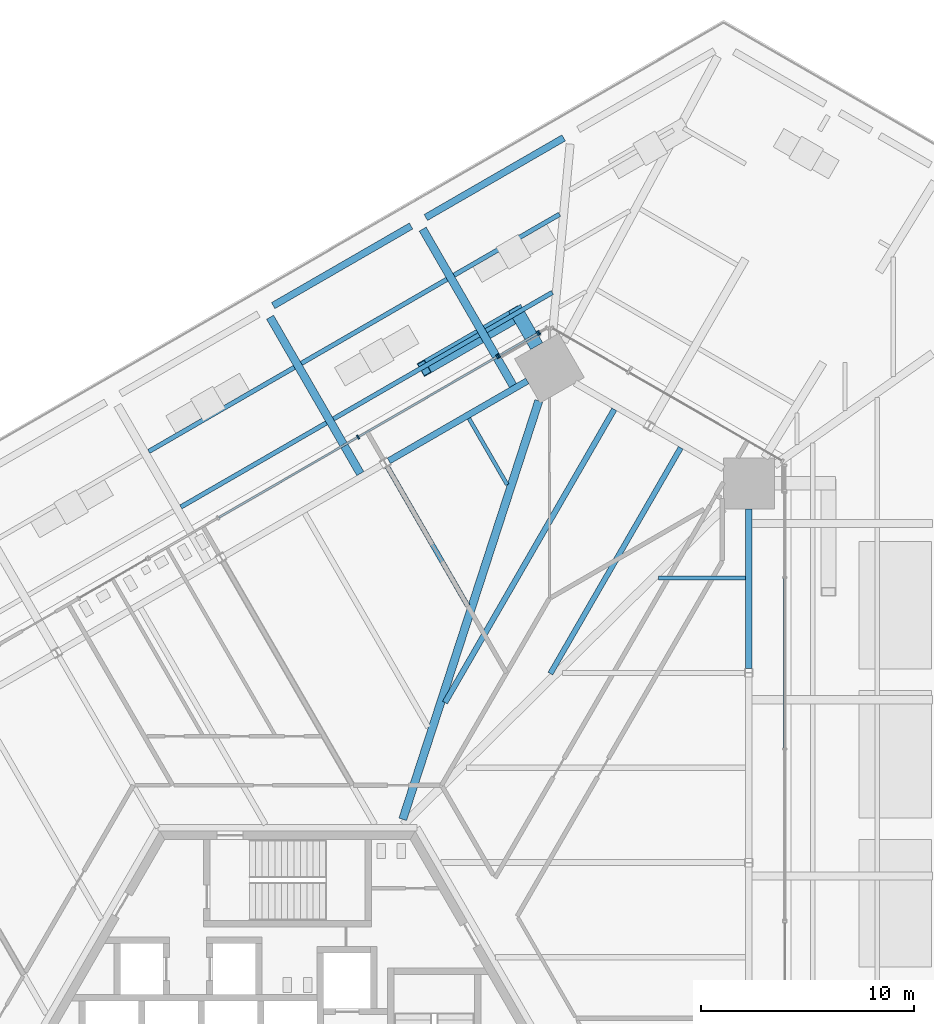
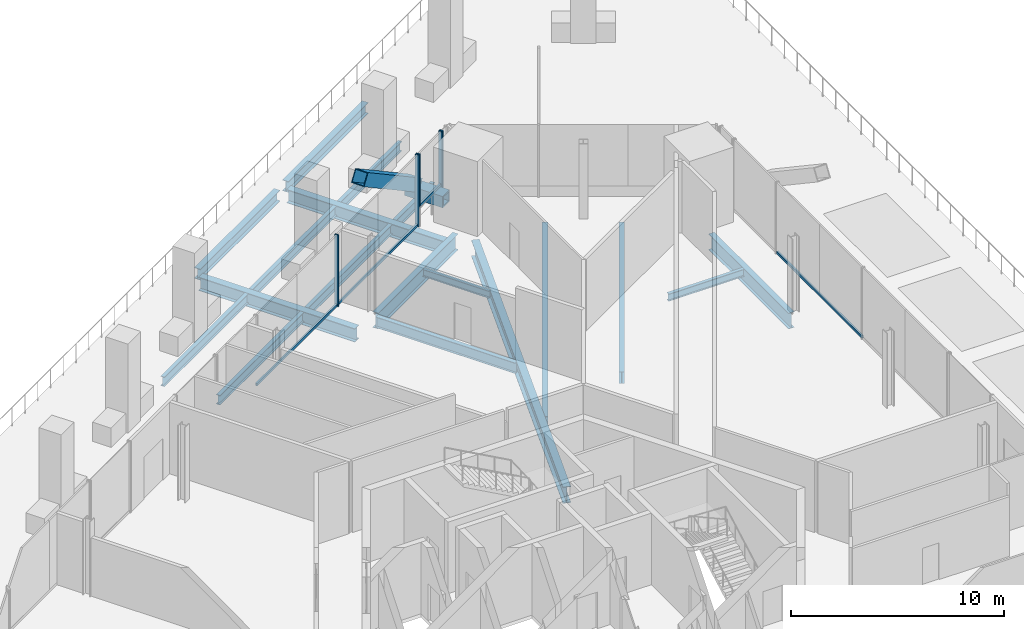
# One storey, part 14 of 38: 18 beams, 11 members, 4 elements without a shape of their own.
"""IFC4 building model written with IfcOpenShell, lengths in metres."""

from ifc_helpers import new_model, si_unit, direction, frame, origin, origin_2d, place, context, subcontext, project, spatial, rectangle, hollow_rectangle, i_section, extrude, source, transform, mapped, material, material_profile, profile_set, type_object, element, aggregate, save


model = new_model("IFC4")

# Units and contexts
model_context = context("Model", 3, precision=1e-05, world=origin(), true_north=direction((0.0, 1.0)))
body_context = subcontext(model_context, "Body", "Model", "MODEL_VIEW")
ifc_project = project(units=[si_unit("LENGTHUNIT", "METRE"), si_unit("AREAUNIT", "SQUARE_METRE"), si_unit("VOLUMEUNIT", "CUBIC_METRE"), si_unit("PLANEANGLEUNIT", "RADIAN"), si_unit("MASSUNIT", "GRAM", prefix="KILO")], contexts=[model_context])

# Site, building, storey
site_placement = place(None, origin())
site = spatial("IfcSite", under=ifc_project, at=site_placement, CompositionType="ELEMENT")
building_placement = place(site_placement, origin())
building = spatial("IfcBuilding", under=site, at=building_placement, Name="Triune Harvest Tower", CompositionType="ELEMENT")
storey_placement = place(building_placement, frame((0.0, 0.0, 16.0)))
storey = spatial("IfcBuildingStorey", under=building, at=storey_placement, Name="L03", CompositionType="ELEMENT", Elevation=16.0)

# Curtain wall, member
ifc_material_1 = material(Name="Aluminium bronze anodised", Category="aluminium")
curtain_wall_type_1 = type_object("IfcCurtainWallType", Name="CW-10 Balcony window wall with insulated spandrel infill", PredefinedType="NOTDEFINED", material=ifc_material_1)
curtain_wall_1_placement = place(storey_placement, origin())
curtain_wall_1 = element("IfcCurtainWall", 1, at=curtain_wall_1_placement, inside=storey, type_object=curtain_wall_type_1, Name="CW-10 B1-F1 L03 run 1002")
ifc_material_2 = material(Name="Aluminium bronze anodised", Category="aluminium")
ifc_material_profile_1 = material_profile(ifc_material_2, rectangle(XDim=0.090087890625, YDim=0.14990234375, at=origin_2d()), Name="TR-6 transom 90 x 150")
ifc_profile_set_1 = profile_set([ifc_material_profile_1], Name="Aluminium bronze anodised")
member_type_1 = type_object("IfcMemberType", Name="TR-6 transom 90 x 150", PredefinedType="USERDEFINED", material=ifc_profile_set_1)
member_1_placement = place(storey_placement, frame((23.371337890625, 14.275634765625, 0.074951171875), z_axis=(0.0, 1.0, 0.0), x_axis=(-1.0, 0.0, 0.0)))
member_1 = element("IfcMember", 2, at=member_1_placement, type_object=member_type_1, Name="CW-10 transom B1-F1 1002.2", ObjectType="TRANSOM", PredefinedType="USERDEFINED", context=body_context, shape_type="SweptSolid", body=[
    extrude(rectangle(XDim=0.090087890625, YDim=0.14990234375, at=origin_2d()), origin(), (0.0, 0.0, 1.0), 7.996337890625),
])
aggregate(curtain_wall_1, [member_1])

# Beams
ifc_material_3 = material(Name="Steel ASTM A992 Gr 50", Category="steel")
ifc_material_profile_2 = material_profile(ifc_material_3, i_section(OverallWidth=0.383544921875, OverallDepth=0.9423828125, WebThickness=0.022216796875, FlangeThickness=0.039794921875, at=origin_2d()), Name="W36x232")
ifc_profile_set_2 = profile_set([ifc_material_profile_2], Name="Steel ASTM A992 Gr 50")
beam_type_1 = type_object("IfcBeamType", Name="HG-1 Hip girder W36x232", PredefinedType="BEAM", material=ifc_profile_set_2)
shared_shape_1 = source(origin(), body_context, "Body", "SweptSolid", [
    extrude(i_section(OverallWidth=0.383544921875, OverallDepth=0.9423828125, WebThickness=0.022216796875, FlangeThickness=0.039794921875, at=origin_2d()), origin(), (0.0, 0.0, 1.0), 20.676025390625),
])
beam_1_placement = place(storey_placement, frame((11.809814453125, 30.6044921875, -0.671142578125), z_axis=(-0.309191000288, -0.950999960747, 0.0), x_axis=(0.950999960747, -0.309191000288, 0.0)))
element("IfcBeam", 3, at=beam_1_placement, inside=storey, type_object=beam_type_1, Name="beam/L03/HG3", PredefinedType="BEAM", context=body_context, shape_type="MappedRepresentation", body=[
    mapped(shared_shape_1, transform((0.0, 0.0, 0.0), scale=1.0)),
])
ifc_material_4 = material(Name="Steel ASTM A992 Gr 50", Category="steel")
ifc_material_profile_3 = material_profile(ifc_material_4, i_section(OverallWidth=0.22900390625, OverallDepth=0.612060546875, WebThickness=0.011962890625, FlangeThickness=0.01953125, at=origin_2d()), Name="W24x84")
ifc_profile_set_3 = profile_set([ifc_material_profile_3], Name="Steel ASTM A992 Gr 50")
beam_type_2 = type_object("IfcBeamType", Name="JT-3 Floor joist W24x84", PredefinedType="JOIST", material=ifc_profile_set_3)
shared_shape_2 = source(origin(), body_context, "Body", "SweptSolid", [
    extrude(i_section(OverallWidth=0.22900390625, OverallDepth=0.612060546875, WebThickness=0.011962890625, FlangeThickness=0.01953125, at=origin_2d()), origin(), (0.0, 0.0, 1.0), 7.55859375),
])
beam_2_placement = place(storey_placement, frame((4.6943359375, 27.509033203125, -0.506103515625), z_axis=(0.500002049001, -0.86602422079, 0.0), x_axis=(0.86602422079, 0.500002049001, 0.0)))
element("IfcBeam", 4, at=beam_2_placement, inside=storey, type_object=beam_type_2, Name="beam/L03/JT15", PredefinedType="JOIST", context=body_context, shape_type="MappedRepresentation", body=[
    mapped(shared_shape_2, transform((0.0, 0.0, 0.0), scale=1.0)),
])
ifc_material_5 = material(Name="Steel ASTM A992 Gr 50", Category="steel")
ifc_material_profile_4 = material_profile(ifc_material_5, i_section(OverallWidth=0.32763671875, OverallDepth=0.62744140625, WebThickness=0.0166015625, FlangeThickness=0.027587890625, at=origin_2d()), Name="W24x146")
ifc_profile_set_4 = profile_set([ifc_material_profile_4], Name="Steel ASTM A992 Gr 50")
beam_type_3 = type_object("IfcBeamType", Name="PD-4 Podium edge beam W24x146", PredefinedType="BEAM", material=ifc_profile_set_4)
shared_shape_3 = source(origin(), body_context, "Body", "SweptSolid", [
    extrude(i_section(OverallWidth=0.32763671875, OverallDepth=0.62744140625, WebThickness=0.0166015625, FlangeThickness=0.027587890625, at=origin_2d()), origin(), (0.0, 0.0, 1.0), 7.47998046875),
])
beam_3_placement = place(storey_placement, frame((12.978759765625, 42.9599609375, -0.513671875), z_axis=(-0.866023067432, -0.500004046659, 0.0), x_axis=(0.500004046659, -0.866023067432, 0.0)))
element("IfcBeam", 5, at=beam_3_placement, inside=storey, type_object=beam_type_3, Name="beam/L03/PE15", PredefinedType="BEAM", context=body_context, shape_type="MappedRepresentation", body=[
    mapped(shared_shape_3, transform((0.0, 0.0, 0.0), scale=1.0)),
])
shared_shape_4 = source(origin(), body_context, "Body", "SweptSolid", [
    extrude(i_section(OverallWidth=0.32763671875, OverallDepth=0.62744140625, WebThickness=0.0166015625, FlangeThickness=0.027587890625, at=origin_2d()), origin(), (0.0, 0.0, 1.0), 7.480224609375),
])
beam_4_placement = place(storey_placement, frame((5.80810546875, 38.820068359375, -0.513671875), z_axis=(-0.866031227086, -0.49998991361, 0.0), x_axis=(0.49998991361, -0.866031227086, 0.0)))
element("IfcBeam", 6, at=beam_4_placement, inside=storey, type_object=beam_type_3, Name="beam/L03/PE16", PredefinedType="BEAM", context=body_context, shape_type="MappedRepresentation", body=[
    mapped(shared_shape_4, transform((0.0, 0.0, 0.0), scale=1.0)),
])
ifc_material_6 = material(Name="Steel ASTM A992 Gr 50", Category="steel")
ifc_material_profile_5 = material_profile(ifc_material_6, i_section(OverallWidth=0.2138671875, OverallDepth=0.548583984375, WebThickness=0.0146484375, FlangeThickness=0.023681640625, at=origin_2d()), Name="W21x93")
ifc_profile_set_5 = profile_set([ifc_material_profile_5], Name="Steel ASTM A992 Gr 50")
beam_type_4 = type_object("IfcBeamType", Name="PD-5 Podium joist W21x93", PredefinedType="JOIST", material=ifc_profile_set_5)
shared_shape_5 = source(origin(), body_context, "Body", "SweptSolid", [
    extrude(i_section(OverallWidth=0.2138671875, OverallDepth=0.548583984375, WebThickness=0.0146484375, FlangeThickness=0.023681640625, at=origin_2d()), origin(), (0.0, 0.0, 1.0), 3.59619140625),
])
beam_5_placement = place(storey_placement, frame((12.44580078125, 35.696533203125, -0.474365234375), z_axis=(-0.866062364587, -0.499935976547, 0.0), x_axis=(0.499935976547, -0.866062364587, 0.0)))
element("IfcBeam", 7, at=beam_5_placement, inside=storey, type_object=beam_type_4, Name="beam/L03/PJ32", PredefinedType="JOIST", context=body_context, shape_type="MappedRepresentation", body=[
    mapped(shared_shape_5, transform((0.0, 0.0, 0.0), scale=1.0)),
])
shared_shape_6 = source(origin(), body_context, "Body", "SweptSolid", [
    extrude(i_section(OverallWidth=0.2138671875, OverallDepth=0.548583984375, WebThickness=0.0146484375, FlangeThickness=0.023681640625, at=origin_2d()), origin(), (0.0, 0.0, 1.0), 7.89892578125),
])
beam_6_placement = place(storey_placement, frame((7.495361328125, 36.31640625, -0.474365234375), z_axis=(-0.866022421773, -0.50000516496, 0.0), x_axis=(0.50000516496, -0.866022421773, 0.0)))
element("IfcBeam", 8, at=beam_6_placement, inside=storey, type_object=beam_type_4, Name="beam/L03/PJ33", PredefinedType="JOIST", context=body_context, shape_type="MappedRepresentation", body=[
    mapped(shared_shape_6, transform((0.0, 0.0, 0.0), scale=1.0)),
])
shared_shape_7 = source(origin(), body_context, "Body", "SweptSolid", [
    extrude(i_section(OverallWidth=0.2138671875, OverallDepth=0.548583984375, WebThickness=0.0146484375, FlangeThickness=0.023681640625, at=origin_2d()), origin(), (0.0, 0.0, 1.0), 7.899169921875),
])
for number, where, z_axis, x_axis, name in (
    (9, (9.00146484375, 33.7080078125, -0.474365234375), (-0.866030148722, -0.499991781437, 0.0), (0.499991781437, -0.866030148722, 0.0), "beam/L03/PJ34"),
    (10, (0.32470703125, 32.176513671875, -0.474365234375), (-0.866016765394, -0.500014961832, 0.0), (0.500014961832, -0.866016765394, 0.0), "beam/L03/PJ35"),
    (11, (1.830810546875, 29.568115234375, -0.474365234375), (-0.866030148722, -0.499991781437, 0.0), (0.499991781437, -0.866030148722, 0.0), "beam/L03/PJ36"),
):
    element("IfcBeam", number, at=place(storey_placement, frame(where, z_axis=z_axis, x_axis=x_axis)), inside=storey, type_object=beam_type_4, Name=name, PredefinedType="JOIST", context=body_context, shape_type="MappedRepresentation", body=[
        mapped(shared_shape_7, transform((0.0, 0.0, 0.0), scale=1.0)),
    ])
shared_shape_8 = source(origin(), body_context, "Body", "SweptSolid", [
    extrude(i_section(OverallWidth=0.2138671875, OverallDepth=0.548583984375, WebThickness=0.0146484375, FlangeThickness=0.023681640625, at=origin_2d()), origin(), (0.0, 0.0, 1.0), 5.726318359375),
])
beam_7_placement = place(storey_placement, frame((12.784423828125, 39.3701171875, -0.474365234375), z_axis=(-0.866009501729, -0.500027542156, 0.0), x_axis=(0.500027542156, -0.866009501729, 0.0)))
element("IfcBeam", 12, at=beam_7_placement, inside=storey, type_object=beam_type_4, Name="beam/L03/PJ31", PredefinedType="JOIST", context=body_context, shape_type="MappedRepresentation", body=[
    mapped(shared_shape_8, transform((0.0, 0.0, 0.0), scale=1.0)),
])
ifc_material_7 = material(Name="Steel ASTM A992 Gr 50", Category="steel")
ifc_material_profile_6 = material_profile(ifc_material_7, i_section(OverallWidth=0.3046875, OverallDepth=0.914306640625, WebThickness=0.0166015625, FlangeThickness=0.02587890625, at=origin_2d()), Name="W36x160")
ifc_profile_set_6 = profile_set([ifc_material_profile_6], Name="Steel ASTM A992 Gr 50")
beam_type_5 = type_object("IfcBeamType", Name="SB-1 Spandrel beam W36x160", PredefinedType="SPANDREL", material=ifc_profile_set_6)
shared_shape_9 = source(origin(), body_context, "Body", "SweptSolid", [
    extrude(i_section(OverallWidth=0.3046875, OverallDepth=0.914306640625, WebThickness=0.0166015625, FlangeThickness=0.02587890625, at=origin_2d()), origin(), (0.0, 0.0, 1.0), 7.508056640625),
])
beam_8_placement = place(storey_placement, frame((21.679443359375, 18.02197265625, -0.6572265625), z_axis=(0.0, 1.0, 0.0), x_axis=(-1.0, 0.0, 0.0)))
element("IfcBeam", 13, at=beam_8_placement, inside=storey, type_object=beam_type_5, Name="beam/L03/SB6", PredefinedType="SPANDREL", context=body_context, shape_type="MappedRepresentation", body=[
    mapped(shared_shape_9, transform((0.0, 0.0, 0.0), scale=1.0)),
])
shared_shape_10 = source(origin(), body_context, "Body", "SweptSolid", [
    extrude(i_section(OverallWidth=0.3046875, OverallDepth=0.914306640625, WebThickness=0.0166015625, FlangeThickness=0.02587890625, at=origin_2d()), origin(), (0.0, 0.0, 1.0), 7.50830078125),
])
beam_9_placement = place(storey_placement, frame((11.27001953125, 31.5400390625, -0.6572265625), z_axis=(-0.866027474485, -0.499996413425, 0.0), x_axis=(0.499996413425, -0.866027474485, 0.0)))
element("IfcBeam", 14, at=beam_9_placement, inside=storey, type_object=beam_type_5, Name="beam/L03/SB9", PredefinedType="SPANDREL", context=body_context, shape_type="MappedRepresentation", body=[
    mapped(shared_shape_10, transform((0.0, 0.0, 0.0), scale=1.0)),
])
ifc_material_8 = material(Name="Steel ASTM A992 Gr 50", Category="steel")
ifc_material_profile_7 = material_profile(ifc_material_8, i_section(OverallWidth=0.180908203125, OverallDepth=0.41650390625, WebThickness=0.010986328125, FlangeThickness=0.01806640625, at=origin_2d()), Name="W16x57")
ifc_profile_set_7 = profile_set([ifc_material_profile_7], Name="Steel ASTM A992 Gr 50")
beam_type_6 = type_object("IfcBeamType", Name="JT-1 Floor joist W16x57", PredefinedType="JOIST", material=ifc_profile_set_7)
shared_shape_11 = source(origin(), body_context, "Body", "SweptSolid", [
    extrude(i_section(OverallWidth=0.180908203125, OverallDepth=0.41650390625, WebThickness=0.010986328125, FlangeThickness=0.01806640625, at=origin_2d()), origin(), (0.0, 0.0, 1.0), 3.599365234375),
])
beam_10_placement = place(storey_placement, frame((8.527099609375, 29.780517578125, -0.408203125), z_axis=(0.50001992892, -0.866013897511, 0.0), x_axis=(0.866013897511, 0.50001992892, 0.0)))
element("IfcBeam", 15, at=beam_10_placement, inside=storey, type_object=beam_type_6, Name="beam/L03/JT14", PredefinedType="JOIST", context=body_context, shape_type="MappedRepresentation", body=[
    mapped(shared_shape_11, transform((0.0, 0.0, 0.0), scale=1.0)),
])
shared_shape_12 = source(origin(), body_context, "Body", "SweptSolid", [
    extrude(i_section(OverallWidth=0.180908203125, OverallDepth=0.41650390625, WebThickness=0.010986328125, FlangeThickness=0.01806640625, at=origin_2d()), origin(), (0.0, 0.0, 1.0), 4.08642578125),
])
beam_11_placement = place(storey_placement, frame((21.527099609375, 22.27490234375, -0.408203125), z_axis=(-1.0, 0.0, 0.0), x_axis=(0.0, -1.0, 0.0)))
element("IfcBeam", 16, at=beam_11_placement, inside=storey, type_object=beam_type_6, Name="beam/L03/JT11", PredefinedType="JOIST", context=body_context, shape_type="MappedRepresentation", body=[
    mapped(shared_shape_12, transform((0.0, 0.0, 0.0), scale=1.0)),
])
ifc_material_9 = material(Name="Steel ASTM A992 Gr 50", Category="steel")
ifc_material_profile_8 = material_profile(ifc_material_9, i_section(OverallWidth=0.253662109375, OverallDepth=0.683349609375, WebThickness=0.012451171875, FlangeThickness=0.01904296875, at=origin_2d()), Name="W27x94")
ifc_profile_set_8 = profile_set([ifc_material_profile_8], Name="Steel ASTM A992 Gr 50")
beam_type_7 = type_object("IfcBeamType", Name="JT-4 Floor joist W27x94", PredefinedType="JOIST", material=ifc_profile_set_8)
shared_shape_13 = source(origin(), body_context, "Body", "SweptSolid", [
    extrude(i_section(OverallWidth=0.253662109375, OverallDepth=0.683349609375, WebThickness=0.012451171875, FlangeThickness=0.01904296875, at=origin_2d()), origin(), (0.0, 0.0, 1.0), 12.2509765625),
])
beam_12_placement = place(storey_placement, frame((18.479736328125, 28.4013671875, -0.54150390625), z_axis=(-0.500001335473, -0.866024632748, 0.0), x_axis=(0.866024632748, -0.500001335473, 0.0)))
element("IfcBeam", 17, at=beam_12_placement, inside=storey, type_object=beam_type_7, Name="beam/L03/JT12", PredefinedType="JOIST", context=body_context, shape_type="MappedRepresentation", body=[
    mapped(shared_shape_13, transform((0.0, 0.0, 0.0), scale=1.0)),
])
ifc_material_10 = material(Name="Steel ASTM A992 Gr 50", Category="steel")
ifc_material_profile_9 = material_profile(ifc_material_10, i_section(OverallWidth=0.2666015625, OverallDepth=0.7568359375, WebThickness=0.013916015625, FlangeThickness=0.019287109375, at=origin_2d()), Name="W30x108")
ifc_profile_set_9 = profile_set([ifc_material_profile_9], Name="Steel ASTM A992 Gr 50")
beam_type_8 = type_object("IfcBeamType", Name="JT-5 Floor joist W30x108", PredefinedType="JOIST", material=ifc_profile_set_9)
shared_shape_14 = source(origin(), body_context, "Body", "SweptSolid", [
    extrude(i_section(OverallWidth=0.2666015625, OverallDepth=0.7568359375, WebThickness=0.013916015625, FlangeThickness=0.019287109375, at=origin_2d()), origin(), (0.0, 0.0, 1.0), 15.90771484375),
])
beam_13_placement = place(storey_placement, frame((15.3564453125, 30.20458984375, -0.57861328125), z_axis=(-0.500003211559, -0.866023549582, 0.0), x_axis=(0.866023549582, -0.500003211559, 0.0)))
element("IfcBeam", 18, at=beam_13_placement, inside=storey, type_object=beam_type_8, Name="beam/L03/JT13", PredefinedType="JOIST", context=body_context, shape_type="MappedRepresentation", body=[
    mapped(shared_shape_14, transform((0.0, 0.0, 0.0), scale=1.0)),
])
ifc_material_11 = material(Name="Steel ASTM A992 Gr 50", Category="steel")
ifc_material_profile_10 = material_profile(ifc_material_11, i_section(OverallWidth=0.381103515625, OverallDepth=0.772216796875, WebThickness=0.0166015625, FlangeThickness=0.027099609375, at=origin_2d()), Name="W30x173")
ifc_profile_set_10 = profile_set([ifc_material_profile_10], Name="Steel ASTM A992 Gr 50")
beam_type_9 = type_object("IfcBeamType", Name="PD-3 Podium girder W30x173", PredefinedType="BEAM", material=ifc_profile_set_10)
shared_shape_15 = source(origin(), body_context, "Body", "SweptSolid", [
    extrude(i_section(OverallWidth=0.381103515625, OverallDepth=0.772216796875, WebThickness=0.0166015625, FlangeThickness=0.027099609375, at=origin_2d()), origin(), (0.0, 0.0, 1.0), 8.483154296875),
])
for number, where, z_axis, x_axis, name in (
    (19, (6.3544921875, 38.673583984375, -0.586181640625), (0.5000081092, -0.866020721885, 0.0), (0.866020721885, 0.5000081092, 0.0), "beam/L03/PR18"),
    (20, (-0.816162109375, 34.53369140625, -0.586181640625), (0.499986524641, -0.866033183647, 0.0), (0.866033183647, 0.499986524641, 0.0), "beam/L03/PR19"),
):
    element("IfcBeam", number, at=place(storey_placement, frame(where, z_axis=z_axis, x_axis=x_axis)), inside=storey, type_object=beam_type_9, Name=name, PredefinedType="BEAM", context=body_context, shape_type="MappedRepresentation", body=[
        mapped(shared_shape_15, transform((0.0, 0.0, 0.0), scale=1.0)),
    ])

# Members
ifc_material_12 = material(Name="Steel ASTM A572 Gr 50", Category="steel")
ifc_material_profile_11 = material_profile(ifc_material_12, hollow_rectangle(XDim=0.64990234375, YDim=0.64990234375, WallThickness=0.070068359375, at=origin_2d()), Name="Box 650x650x70")
ifc_profile_set_11 = profile_set([ifc_material_profile_11], Name="Steel ASTM A572 Gr 50")
member_type_2 = type_object("IfcMemberType", Name="BS-1 Brace stub Box 650x650x70", PredefinedType="STRUT", material=ifc_profile_set_11)
shared_shape_16 = source(origin(), body_context, "Body", "SweptSolid", [
    extrude(hollow_rectangle(XDim=0.64990234375, YDim=0.64990234375, WallThickness=0.070068359375, at=origin_2d()), origin(), (0.0, 0.0, 1.0), 2.07177734375),
])
member_2_placement = place(storey_placement, frame((11.708984375, 33.17919921875, 0.60009765625), z_axis=(-0.500004672885, 0.866022705876, 0.0), x_axis=(-0.866022705876, -0.500004672885, 0.0)))
element("IfcMember", 21, at=member_2_placement, inside=storey, type_object=member_type_2, Name="brace/B1-F3/stub1", PredefinedType="STRUT", context=body_context, shape_type="MappedRepresentation", body=[
    mapped(shared_shape_16, transform((0.0, 0.0, 0.0), scale=1.0)),
])
ifc_material_13 = material(Name="Steel ASTM A572 Gr 50", Category="steel")
ifc_material_profile_12 = material_profile(ifc_material_13, hollow_rectangle(XDim=0.699951171875, YDim=0.699951171875, WallThickness=0.0400390625, at=origin_2d()), Name="Box 700x700x40")
ifc_profile_set_12 = profile_set([ifc_material_profile_12], Name="Steel ASTM A572 Gr 50")
member_type_3 = type_object("IfcMemberType", Name="BR-1 Brace Box 700x700x40", PredefinedType="BRACE", material=ifc_profile_set_12)
shared_shape_17 = source(origin(), body_context, "Body", "SweptSolid", [
    extrude(hollow_rectangle(XDim=0.699951171875, YDim=0.699951171875, WallThickness=0.0400390625, at=origin_2d()), origin(), (0.0, 0.0, 1.0), 6.12890625),
])
member_3_placement = place(storey_placement, frame((10.838134765625, 34.687744140625, 0.889892578125), z_axis=(-0.719593116194, -0.415463946964, 0.556395053806), x_axis=(0.500006018292, -0.866021929094, 0.0)))
element("IfcMember", 22, at=member_3_placement, inside=storey, type_object=member_type_3, Name="brace/B1-F3/d1/1", PredefinedType="BRACE", context=body_context, shape_type="MappedRepresentation", body=[
    mapped(shared_shape_17, transform((0.0, 0.0, 0.0), scale=1.0)),
])

# Curtain wall, members
curtain_wall_2_placement = place(storey_placement, origin())
curtain_wall_2 = element("IfcCurtainWall", 23, at=curtain_wall_2_placement, inside=storey, type_object=curtain_wall_type_1, Name="CW-10 B1-F3 L03 run 101")
ifc_material_14 = material(Name="Aluminium bronze anodised", Category="aluminium")
ifc_material_profile_13 = material_profile(ifc_material_14, rectangle(XDim=0.199951171875, YDim=0.074951171875, at=origin_2d()), Name="MU-6 mullion 75 x 200")
ifc_profile_set_13 = profile_set([ifc_material_profile_13], Name="Aluminium bronze anodised")
member_type_4 = type_object("IfcMemberType", Name="MU-6 mullion 75 x 200", PredefinedType="MULLION", material=ifc_profile_set_13)
shared_shape_18 = source(origin(), body_context, "Body", "SweptSolid", [
    extrude(rectangle(XDim=0.199951171875, YDim=0.074951171875, at=origin_2d()), origin(), (0.0, 0.0, 1.0), 3.114990234375),
])
member_4_placement = place(storey_placement, frame((11.76416015625, 33.779052734375, 0.985107421875), z_axis=(0.0, 0.0, 1.0), x_axis=(0.500001212781, -0.866024703584, 0.0)))
member_4 = element("IfcMember", 24, at=member_4_placement, type_object=member_type_4, Name="CW-10 mullion B1-F3 101.1", PredefinedType="MULLION", context=body_context, shape_type="MappedRepresentation", body=[
    mapped(shared_shape_18, transform((0.0, 0.0, 0.0), scale=1.0)),
])
member_5_placement = place(storey_placement, frame((9.9287109375, 32.71923828125, 0.985107421875), z_axis=(0.0, 0.0, 1.0), x_axis=(0.500001212781, -0.866024703584, 0.0)))
member_5 = element("IfcMember", 25, at=member_5_placement, type_object=member_type_4, Name="CW-10 mullion B1-F3 101.2", PredefinedType="MULLION", context=body_context, shape_type="MappedRepresentation", body=[
    mapped(shared_shape_18, transform((0.0, 0.0, 0.0), scale=1.0)),
])

# Curtain wall, member
ifc_material_15 = material(Name="Aluminium bronze anodised", Category="aluminium")
curtain_wall_type_2 = type_object("IfcCurtainWallType", Name="CW-6 Balcony window wall", PredefinedType="NOTDEFINED", material=ifc_material_15)
curtain_wall_3_placement = place(storey_placement, origin())
curtain_wall_3 = element("IfcCurtainWall", 26, at=curtain_wall_3_placement, inside=storey, type_object=curtain_wall_type_2, Name="CW-6 B1-F3 L03 run 1")
shared_shape_19 = source(origin(), body_context, "Body", "SweptSolid", [
    extrude(rectangle(XDim=0.199951171875, YDim=0.074951171875, at=origin_2d()), origin(), (0.0, 0.0, 1.0), 4.10009765625),
])
member_6_placement = place(storey_placement, frame((11.8291015625, 33.81640625, 0.0), z_axis=(0.0, 0.0, 1.0), x_axis=(0.499975448906, -0.866039577901, 0.0)))
member_6 = element("IfcMember", 27, at=member_6_placement, type_object=member_type_4, Name="CW-6 mullion B1-F3 1.2", PredefinedType="MULLION", context=body_context, shape_type="MappedRepresentation", body=[
    mapped(shared_shape_19, transform((0.0, 0.0, 0.0), scale=1.0)),
])
aggregate(curtain_wall_3, [member_6])

# Curtain wall, members
curtain_wall_4_placement = place(storey_placement, origin())
curtain_wall_4 = element("IfcCurtainWall", 28, at=curtain_wall_4_placement, inside=storey, type_object=curtain_wall_type_1, Name="CW-10 B1-F3 L03 run 201")
member_7_placement = place(storey_placement, frame((9.86376953125, 32.681640625, 0.0), z_axis=(0.0, 0.0, 1.0), x_axis=(0.500003685711, -0.866023275828, 0.0)))
member_7 = element("IfcMember", 29, at=member_7_placement, type_object=member_type_4, Name="CW-10 mullion B1-F3 201.1", PredefinedType="MULLION", context=body_context, shape_type="MappedRepresentation", body=[
    mapped(shared_shape_19, transform((0.0, 0.0, 0.0), scale=1.0)),
])
member_8_placement = place(storey_placement, frame((3.317626953125, 28.90234375, 0.0), z_axis=(0.0, 0.0, 1.0), x_axis=(0.500003685711, -0.866023275828, 0.0)))
member_8 = element("IfcMember", 30, at=member_8_placement, type_object=member_type_4, Name="CW-10 mullion B1-F3 201.3", PredefinedType="MULLION", context=body_context, shape_type="MappedRepresentation", body=[
    mapped(shared_shape_19, transform((0.0, 0.0, 0.0), scale=1.0)),
])
shared_shape_20 = source(origin(), body_context, "Body", "SweptSolid", [
    extrude(rectangle(XDim=0.090087890625, YDim=0.14990234375, at=origin_2d()), origin(), (0.0, 0.0, 1.0), 7.48388671875),
])
member_9_placement = place(storey_placement, frame((9.831298828125, 32.6630859375, 0.074951171875), z_axis=(-0.866010113732, -0.500026482212, 0.0), x_axis=(0.500026482212, -0.866010113732, 0.0)))
member_9 = element("IfcMember", 31, at=member_9_placement, type_object=member_type_1, Name="CW-10 transom B1-F3 201.1", ObjectType="TRANSOM", PredefinedType="USERDEFINED", context=body_context, shape_type="MappedRepresentation", body=[
    mapped(shared_shape_20, transform((0.0, 0.0, 0.0), scale=1.0)),
])
shared_shape_21 = source(origin(), body_context, "Body", "SweptSolid", [
    extrude(rectangle(XDim=0.090087890625, YDim=0.14990234375, at=origin_2d()), origin(), (0.0, 0.0, 1.0), 7.521484375),
])
member_10_placement = place(storey_placement, frame((3.28515625, 28.883544921875, 0.074951171875), z_axis=(-0.866029374751, -0.499993122022, 0.0), x_axis=(0.499993122022, -0.866029374751, 0.0)))
member_10 = element("IfcMember", 32, at=member_10_placement, type_object=member_type_1, Name="CW-10 transom B1-F3 201.2", ObjectType="TRANSOM", PredefinedType="USERDEFINED", context=body_context, shape_type="MappedRepresentation", body=[
    mapped(shared_shape_21, transform((0.0, 0.0, 0.0), scale=1.0)),
])
aggregate(curtain_wall_4, [member_7, member_8, member_9, member_10])

# Member
shared_shape_22 = source(origin(), body_context, "Body", "SweptSolid", [
    extrude(rectangle(XDim=0.090087890625, YDim=0.14990234375, at=origin_2d()), origin(), (0.0, 0.0, 1.0), 2.04443359375),
])
member_11_placement = place(storey_placement, frame((11.731689453125, 33.76025390625, 1.06005859375), z_axis=(-0.866022515895, -0.500005001938, 0.0), x_axis=(0.500005001938, -0.866022515895, 0.0)))
member_11 = element("IfcMember", 33, at=member_11_placement, type_object=member_type_1, Name="CW-10 transom B1-F3 101.1", ObjectType="TRANSOM", PredefinedType="USERDEFINED", context=body_context, shape_type="MappedRepresentation", body=[
    mapped(shared_shape_22, transform((0.0, 0.0, 0.0), scale=1.0)),
])

aggregate(curtain_wall_2, [member_4, member_5, member_11])

save(model, "model.ifc")
